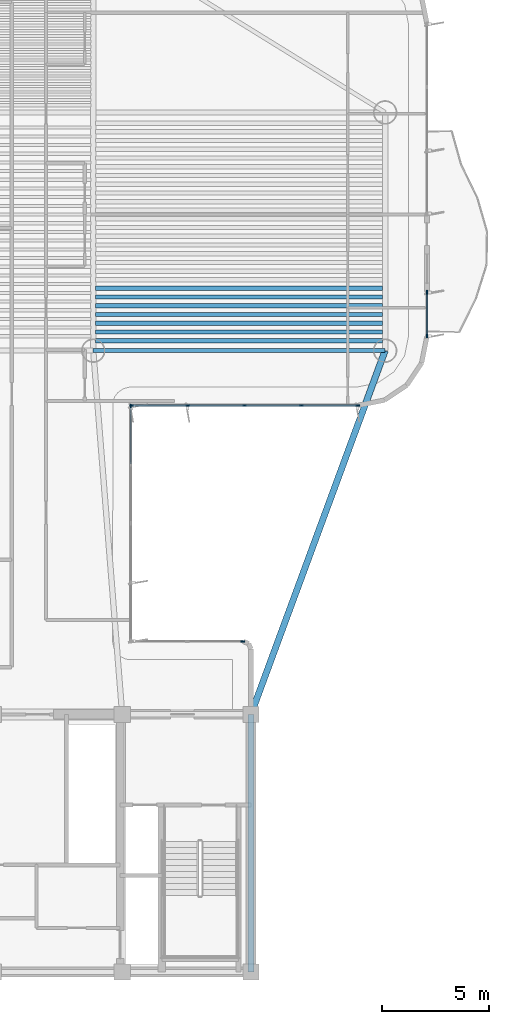
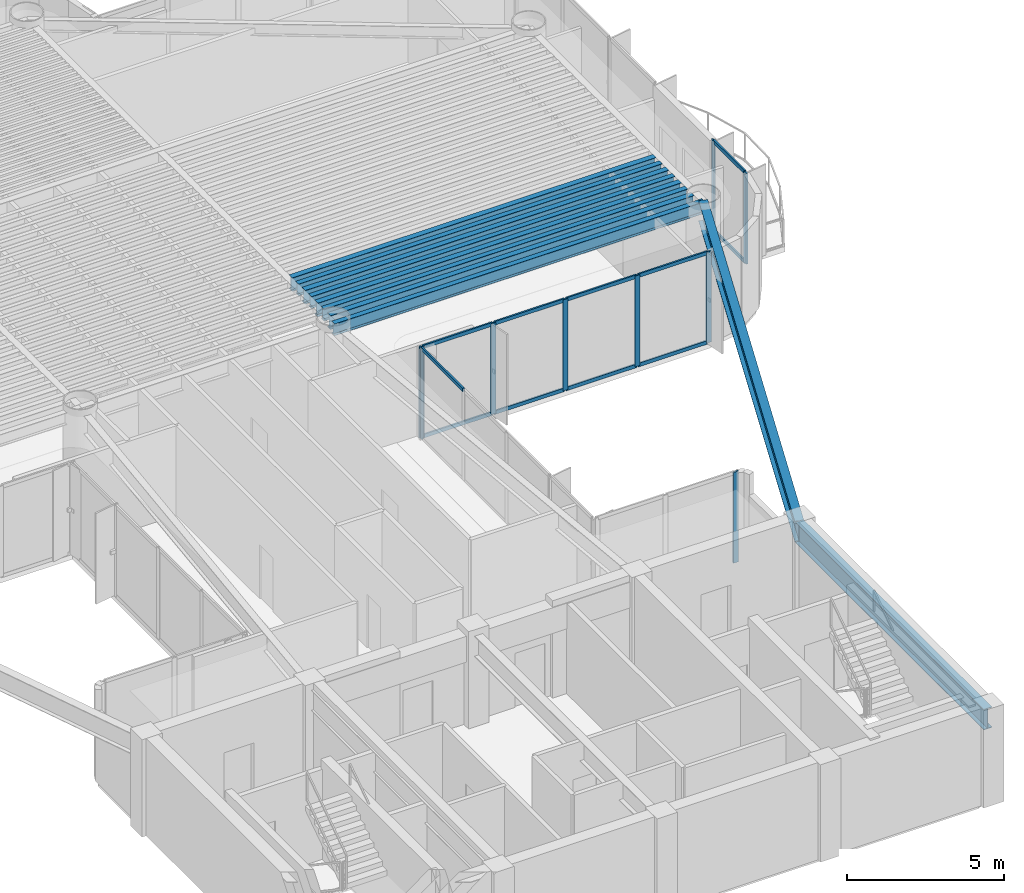
# One storey, part 4 of 15: 20 members, 10 beams, 4 elements without a shape of their own.
"""IFC4 building model written with IfcOpenShell, lengths in metres."""

from ifc_helpers import new_model, si_unit, direction, frame, origin, origin_2d, place, context, subcontext, project, spatial, rectangle, i_section, extrude, source, transform, mapped, material, layer, layer_set, material_profile, profile_set, type_object, element, aggregate, save


model = new_model("IFC4")

# Units and contexts
model_context = context("Model", 3, precision=1e-05, world=origin(), true_north=direction((0.0, 1.0)))
body_context = subcontext(model_context, "Body", "Model", "MODEL_VIEW")
ifc_project = project(units=[si_unit("LENGTHUNIT", "METRE"), si_unit("AREAUNIT", "SQUARE_METRE"), si_unit("VOLUMEUNIT", "CUBIC_METRE"), si_unit("PLANEANGLEUNIT", "RADIAN"), si_unit("MASSUNIT", "GRAM", prefix="KILO")], contexts=[model_context])

# Site, building, storey
site_placement = place(None, origin())
site = spatial("IfcSite", under=ifc_project, at=site_placement, CompositionType="ELEMENT")
building_placement = place(site_placement, origin())
building = spatial("IfcBuilding", under=site, at=building_placement, Name="Brelvock Crest Care Tower", CompositionType="ELEMENT")
storey_placement = place(building_placement, frame((0.0, 0.0, 160.199951171875)))
storey = spatial("IfcBuildingStorey", under=building, at=storey_placement, Name="L40", CompositionType="ELEMENT", Elevation=160.199951171875)

# Beams
ifc_material_1 = material(Name="Steel Grade 350", Category="steel")
ifc_material_profile_1 = material_profile(ifc_material_1, i_section(OverallWidth=0.300048828125, OverallDepth=0.800048828125, WebThickness=0.013916015625, FlangeThickness=0.02197265625, at=origin_2d()), Name="800WB192")
ifc_profile_set_1 = profile_set([ifc_material_profile_1], Name="Steel Grade 350")
beam_type_1 = type_object("IfcBeamType", Name="BM-G5", PredefinedType="BEAM", material=ifc_profile_set_1)
shared_shape_1 = source(origin(), body_context, "Body", "SweptSolid", [
    extrude(i_section(OverallWidth=0.300048828125, OverallDepth=0.800048828125, WebThickness=0.013916015625, FlangeThickness=0.02197265625, at=origin_2d()), origin(), (0.0, 0.0, 1.0), 12.0),
])
beam_1_placement = place(storey_placement, frame((48.0, 6.0, 3.130126953125), z_axis=(0.0, 1.0, 0.0), x_axis=(-1.0, 0.0, 0.0)))
element("IfcBeam", 1, at=beam_1_placement, inside=storey, type_object=beam_type_1, Name="BM-COREX-L40-5", PredefinedType="BEAM", context=body_context, shape_type="MappedRepresentation", body=[
    mapped(shared_shape_1, transform((0.0, 0.0, 0.0), x_axis=(1.0, 0.0, 0.0), y_axis=(0.0, 1.0, 0.0), z_axis=(0.0, 0.0, 1.0), scale=1.0)),
])
ifc_material_profile_2 = material_profile(ifc_material_1, i_section(OverallWidth=0.208984375, OverallDepth=0.532958984375, WebThickness=0.01025390625, FlangeThickness=0.015625, FilletRadius=0.013916015625, at=origin_2d()), Name="530UB92.4")
ifc_profile_set_2 = profile_set([ifc_material_profile_2], Name="Steel Grade 350")
beam_type_2 = type_object("IfcBeamType", Name="BM-G2", PredefinedType="BEAM", material=ifc_profile_set_2)
shared_shape_2 = source(origin(), body_context, "Body", "SweptSolid", [
    extrude(i_section(OverallWidth=0.208984375, OverallDepth=0.532958984375, WebThickness=0.01025390625, FlangeThickness=0.015625, FilletRadius=0.013916015625, at=origin_2d()), origin(), (0.0, 0.0, 1.0), 13.3701171875),
])
for number, where, z_axis, x_axis, name in (
    (2, (40.764892578125, 35.416259765625, 3.263427734375), (1.0, 0.0, 0.0), (0.0, 1.0, 0.0), "BM-JE-L40-1"),
    (3, (40.764892578125, 36.2265625, 3.263427734375), (1.0, 0.0, 0.0), (0.0, 1.0, 0.0), "BM-JE-L40-3"),
    (4, (40.764892578125, 37.036865234375, 3.263427734375), (1.0, 0.0, 0.0), (0.0, 1.0, 0.0), "BM-JE-L40-5"),
    (5, (40.764892578125, 37.84716796875, 3.263427734375), (1.0, 0.0, 0.0), (0.0, 1.0, 0.0), "BM-JE-L40-7"),
):
    element("IfcBeam", number, at=place(storey_placement, frame(where, z_axis=z_axis, x_axis=x_axis)), inside=storey, type_object=beam_type_2, Name=name, PredefinedType="BEAM", context=body_context, shape_type="MappedRepresentation", body=[
        mapped(shared_shape_2, transform((0.0, 0.0, 0.0), x_axis=(1.0, 0.0, 0.0), y_axis=(0.0, 1.0, 0.0), z_axis=(0.0, 0.0, 1.0), scale=1.0)),
    ])
ifc_material_profile_3 = material_profile(ifc_material_1, i_section(OverallWidth=0.19091796875, OverallDepth=0.4599609375, WebThickness=0.010009765625, FlangeThickness=0.01611328125, FilletRadius=0.011474609375, at=origin_2d()), Name="460UB82.1")
ifc_profile_set_3 = profile_set([ifc_material_profile_3], Name="Steel Grade 350")
beam_type_3 = type_object("IfcBeamType", Name="BM-G3", PredefinedType="BEAM", material=ifc_profile_set_3)
shared_shape_3 = source(origin(), body_context, "Body", "SweptSolid", [
    extrude(i_section(OverallWidth=0.19091796875, OverallDepth=0.4599609375, WebThickness=0.010009765625, FlangeThickness=0.01611328125, FilletRadius=0.011474609375, at=origin_2d()), origin(), (0.0, 0.0, 1.0), 13.3701171875),
])
for number, where, z_axis, x_axis, name in (
    (6, (40.764892578125, 35.8212890625, 3.300048828125), (1.0, 0.0, 0.0), (0.0, 1.0, 0.0), "BM-JE-L40-2"),
    (7, (40.764892578125, 36.631591796875, 3.300048828125), (1.0, 0.0, 0.0), (0.0, 1.0, 0.0), "BM-JE-L40-4"),
    (8, (40.764892578125, 37.44189453125, 3.300048828125), (1.0, 0.0, 0.0), (0.0, 1.0, 0.0), "BM-JE-L40-6"),
):
    element("IfcBeam", number, at=place(storey_placement, frame(where, z_axis=z_axis, x_axis=x_axis)), inside=storey, type_object=beam_type_3, Name=name, PredefinedType="BEAM", context=body_context, shape_type="MappedRepresentation", body=[
        mapped(shared_shape_3, transform((0.0, 0.0, 0.0), x_axis=(1.0, 0.0, 0.0), y_axis=(0.0, 1.0, 0.0), z_axis=(0.0, 0.0, 1.0), scale=1.0)),
    ])
ifc_material_profile_4 = material_profile(ifc_material_1, i_section(OverallWidth=0.19091796875, OverallDepth=0.4599609375, WebThickness=0.010009765625, FlangeThickness=0.01611328125, FilletRadius=0.011474609375, at=origin_2d()), Name="460UB82.1")
ifc_profile_set_4 = profile_set([ifc_material_profile_4], Name="Steel Grade 350")
beam_type_4 = type_object("IfcBeamType", Name="BM-SP2", PredefinedType="SPANDREL", material=ifc_profile_set_4)
shared_shape_4 = source(origin(), body_context, "Body", "SweptSolid", [
    extrude(i_section(OverallWidth=0.19091796875, OverallDepth=0.4599609375, WebThickness=0.010009765625, FlangeThickness=0.01611328125, FilletRadius=0.011474609375, at=origin_2d()), origin(), (0.0, 0.0, 1.0), 13.60009765625),
])
beam_2_placement = place(storey_placement, frame((40.64990234375, 34.949951171875, 3.300048828125), z_axis=(1.0, 0.0, 0.0), x_axis=(0.0, 1.0, 0.0)))
element("IfcBeam", 9, at=beam_2_placement, inside=storey, type_object=beam_type_4, Name="BM-TWR-L40-04", PredefinedType="SPANDREL", context=body_context, shape_type="MappedRepresentation", body=[
    mapped(shared_shape_4, transform((0.0, 0.0, 0.0), x_axis=(1.0, 0.0, 0.0), y_axis=(0.0, 1.0, 0.0), z_axis=(0.0, 0.0, 1.0), scale=1.0)),
])
shared_shape_5 = source(origin(), body_context, "Body", "SweptSolid", [
    extrude(i_section(OverallWidth=0.300048828125, OverallDepth=0.800048828125, WebThickness=0.013916015625, FlangeThickness=0.02197265625, at=origin_2d()), origin(), (0.0, 0.0, 1.0), 18.0654296875),
])
beam_3_placement = place(storey_placement, frame((48.0, 18.0, 3.130126953125), z_axis=(0.345962741309, 0.938248251597, 0.0), x_axis=(-0.938248251597, 0.345962741309, 0.0)))
element("IfcBeam", 10, at=beam_3_placement, inside=storey, type_object=beam_type_1, Name="BM-THRO-E-L40", PredefinedType="BEAM", context=body_context, shape_type="MappedRepresentation", body=[
    mapped(shared_shape_5, transform((0.0, 0.0, 0.0), x_axis=(1.0, 0.0, 0.0), y_axis=(0.0, 1.0, 0.0), z_axis=(0.0, 0.0, 1.0), scale=1.0)),
])

# Curtain wall, members
ifc_material_2 = material(Name="Dark Glass Double Glazed Low-E", Category="glass")
ifc_layer = layer(ifc_material_2, 0.22509765625, Name="CWS-4")
ifc_layer_set = layer_set([ifc_layer], Name="Dark Glass Double Glazed Low-E")
curtain_wall_type = type_object("IfcCurtainWallType", Name="CWS-4", PredefinedType="NOTDEFINED", material=ifc_layer_set)
curtain_wall_1_placement = place(storey_placement, origin())
curtain_wall_1 = element("IfcCurtainWall", 11, at=curtain_wall_1_placement, inside=storey, type_object=curtain_wall_type, Name="L40 Curtain Wall E39B", PredefinedType="NOTDEFINED")
ifc_material_3 = material(Name="Aluminium 6063-T6", Category="aluminium")
ifc_material_profile_5 = material_profile(ifc_material_3, rectangle(XDim=0.06005859375, YDim=0.179931640625, at=origin_2d()), Name="ALU60x180")
ifc_profile_set_5 = profile_set([ifc_material_profile_5], Name="Aluminium 6063-T6")
member_type_1 = type_object("IfcMemberType", Name="CWM-2", PredefinedType="MULLION", material=ifc_profile_set_5)
shared_shape_6 = source(origin(), body_context, "Body", "SweptSolid", [
    extrude(rectangle(XDim=0.06005859375, YDim=0.179931640625, at=origin_2d()), origin(), (0.0, 0.0, 1.0), 3.530029296875),
])
member_1_placement = place(storey_placement, frame((56.199951171875, 37.669921875, 0.0), z_axis=(0.0, 0.0, 1.0), x_axis=(1.0, 0.0, 0.0)))
member_1 = element("IfcMember", 12, at=member_1_placement, type_object=member_type_1, Name="CW-4 mullion 1", PredefinedType="MULLION", context=body_context, shape_type="MappedRepresentation", body=[
    mapped(shared_shape_6, transform((0.0, 0.0, 0.0), x_axis=(1.0, 0.0, 0.0), y_axis=(0.0, 1.0, 0.0), z_axis=(0.0, 0.0, 1.0), scale=1.0)),
])
member_2_placement = place(storey_placement, frame((56.199951171875, 35.6298828125, 0.0), z_axis=(0.0, 0.0, 1.0), x_axis=(1.0, 0.0, 0.0)))
member_2 = element("IfcMember", 13, at=member_2_placement, type_object=member_type_1, Name="CW-4 mullion 2", PredefinedType="MULLION", context=body_context, shape_type="MappedRepresentation", body=[
    mapped(shared_shape_6, transform((0.0, 0.0, 0.0), x_axis=(1.0, 0.0, 0.0), y_axis=(0.0, 1.0, 0.0), z_axis=(0.0, 0.0, 1.0), scale=1.0)),
])

curtain_wall_2_placement = place(storey_placement, origin())
curtain_wall_2 = element("IfcCurtainWall", 14, at=curtain_wall_2_placement, inside=storey, type_object=curtain_wall_type, Name="L40 Curtain Wall E44", PredefinedType="NOTDEFINED")
member_3_placement = place(storey_placement, frame((52.969970703125, 32.39990234375, 0.0), z_axis=(0.0, 0.0, 1.0), x_axis=(0.0, -1.0, 0.0)))
member_3 = element("IfcMember", 15, at=member_3_placement, type_object=member_type_1, Name="CW-4 mullion 1", PredefinedType="MULLION", context=body_context, shape_type="MappedRepresentation", body=[
    mapped(shared_shape_6, transform((0.0, 0.0, 0.0), x_axis=(1.0, 0.0, 0.0), y_axis=(0.0, 1.0, 0.0), z_axis=(0.0, 0.0, 1.0), scale=1.0)),
])
member_4_placement = place(storey_placement, frame((50.35009765625, 32.39990234375, 0.0), z_axis=(0.0, 0.0, 1.0), x_axis=(0.0, -1.0, 0.0)))
member_4 = element("IfcMember", 16, at=member_4_placement, type_object=member_type_1, Name="CW-4 mullion 2", PredefinedType="MULLION", context=body_context, shape_type="MappedRepresentation", body=[
    mapped(shared_shape_6, transform((0.0, 0.0, 0.0), x_axis=(1.0, 0.0, 0.0), y_axis=(0.0, 1.0, 0.0), z_axis=(0.0, 0.0, 1.0), scale=1.0)),
])
member_5_placement = place(storey_placement, frame((47.699951171875, 32.39990234375, 0.0), z_axis=(0.0, 0.0, 1.0), x_axis=(0.0, -1.0, 0.0)))
member_5 = element("IfcMember", 17, at=member_5_placement, type_object=member_type_1, Name="CW-4 mullion 3", PredefinedType="MULLION", context=body_context, shape_type="MappedRepresentation", body=[
    mapped(shared_shape_6, transform((0.0, 0.0, 0.0), x_axis=(1.0, 0.0, 0.0), y_axis=(0.0, 1.0, 0.0), z_axis=(0.0, 0.0, 1.0), scale=1.0)),
])
member_6_placement = place(storey_placement, frame((45.050048828125, 32.39990234375, 0.0), z_axis=(0.0, 0.0, 1.0), x_axis=(0.0, -1.0, 0.0)))
member_6 = element("IfcMember", 18, at=member_6_placement, type_object=member_type_1, Name="CW-4 mullion 4", PredefinedType="MULLION", context=body_context, shape_type="MappedRepresentation", body=[
    mapped(shared_shape_6, transform((0.0, 0.0, 0.0), x_axis=(1.0, 0.0, 0.0), y_axis=(0.0, 1.0, 0.0), z_axis=(0.0, 0.0, 1.0), scale=1.0)),
])
member_7_placement = place(storey_placement, frame((42.429931640625, 32.39990234375, 0.0), z_axis=(0.0, 0.0, 1.0), x_axis=(0.0, -1.0, 0.0)))
member_7 = element("IfcMember", 19, at=member_7_placement, type_object=member_type_1, Name="CW-4 mullion 5", PredefinedType="MULLION", context=body_context, shape_type="MappedRepresentation", body=[
    mapped(shared_shape_6, transform((0.0, 0.0, 0.0), x_axis=(1.0, 0.0, 0.0), y_axis=(0.0, 1.0, 0.0), z_axis=(0.0, 0.0, 1.0), scale=1.0)),
])

# Curtain wall, member
curtain_wall_3_placement = place(storey_placement, origin())
curtain_wall_3 = element("IfcCurtainWall", 20, at=curtain_wall_3_placement, inside=storey, type_object=curtain_wall_type, Name="L40 Curtain Wall E45", PredefinedType="NOTDEFINED")
member_8_placement = place(storey_placement, frame((42.39990234375, 32.3701171875, 0.0), z_axis=(0.0, 0.0, 1.0), x_axis=(1.0, 0.0, 0.0)))
member_8 = element("IfcMember", 21, at=member_8_placement, type_object=member_type_1, Name="CW-4 mullion 1", PredefinedType="MULLION", context=body_context, shape_type="MappedRepresentation", body=[
    mapped(shared_shape_6, transform((0.0, 0.0, 0.0), x_axis=(1.0, 0.0, 0.0), y_axis=(0.0, 1.0, 0.0), z_axis=(0.0, 0.0, 1.0), scale=1.0)),
])

curtain_wall_4_placement = place(storey_placement, origin())
curtain_wall_4 = element("IfcCurtainWall", 22, at=curtain_wall_4_placement, inside=storey, type_object=curtain_wall_type, Name="L40 Curtain Wall E46", PredefinedType="NOTDEFINED")
member_9_placement = place(storey_placement, frame((47.6201171875, 21.39990234375, 0.0), z_axis=(0.0, 0.0, 1.0), x_axis=(0.0, 1.0, 0.0)))
member_9 = element("IfcMember", 23, at=member_9_placement, type_object=member_type_1, Name="CW-4 mullion 3", PredefinedType="MULLION", context=body_context, shape_type="MappedRepresentation", body=[
    mapped(shared_shape_6, transform((0.0, 0.0, 0.0), x_axis=(1.0, 0.0, 0.0), y_axis=(0.0, 1.0, 0.0), z_axis=(0.0, 0.0, 1.0), scale=1.0)),
])
aggregate(curtain_wall_4, [member_9])

# Member
ifc_material_profile_6 = material_profile(ifc_material_3, rectangle(XDim=0.06005859375, YDim=0.139892578125, at=origin_2d()), Name="ALU60x140")
ifc_profile_set_6 = profile_set([ifc_material_profile_6], Name="Aluminium 6063-T6")
member_type_2 = type_object("IfcMemberType", Name="CWT-2", PredefinedType="USERDEFINED", material=ifc_profile_set_6)
shared_shape_7 = source(origin(), body_context, "Body", "SweptSolid", [
    extrude(rectangle(XDim=0.06005859375, YDim=0.139892578125, at=origin_2d()), origin(), (0.0, 0.0, 1.0), 2.66015625),
])
member_10_placement = place(storey_placement, frame((42.39990234375, 32.340087890625, 3.5), z_axis=(0.0, -1.0, 0.0), x_axis=(1.0, 0.0, 0.0)))
member_10 = element("IfcMember", 24, at=member_10_placement, type_object=member_type_2, Name="CW-4 transom 1.2", ObjectType="TRANSOM", PredefinedType="USERDEFINED", context=body_context, shape_type="MappedRepresentation", body=[
    mapped(shared_shape_7, transform((0.0, 0.0, 0.0), x_axis=(1.0, 0.0, 0.0), y_axis=(0.0, 1.0, 0.0), z_axis=(0.0, 0.0, 1.0), scale=1.0)),
])

aggregate(curtain_wall_3, [member_8, member_10])

shared_shape_8 = source(origin(), body_context, "Body", "SweptSolid", [
    extrude(rectangle(XDim=0.06005859375, YDim=0.139892578125, at=origin_2d()), origin(), (0.0, 0.0, 1.0), 2.56005859375),
])
member_11_placement = place(storey_placement, frame((52.93994140625, 32.39990234375, 0.030029296875), z_axis=(-1.0, 0.0, 0.0), x_axis=(0.0, -1.0, 0.0)))
member_11 = element("IfcMember", 25, at=member_11_placement, type_object=member_type_2, Name="CW-4 transom 1.1", ObjectType="TRANSOM", PredefinedType="USERDEFINED", context=body_context, shape_type="MappedRepresentation", body=[
    mapped(shared_shape_8, transform((0.0, 0.0, 0.0), x_axis=(1.0, 0.0, 0.0), y_axis=(0.0, 1.0, 0.0), z_axis=(0.0, 0.0, 1.0), scale=1.0)),
])

member_12_placement = place(storey_placement, frame((52.93994140625, 32.39990234375, 3.5), z_axis=(-1.0, 0.0, 0.0), x_axis=(0.0, -1.0, 0.0)))
member_12 = element("IfcMember", 26, at=member_12_placement, type_object=member_type_2, Name="CW-4 transom 1.2", ObjectType="TRANSOM", PredefinedType="USERDEFINED", context=body_context, shape_type="MappedRepresentation", body=[
    mapped(shared_shape_8, transform((0.0, 0.0, 0.0), x_axis=(1.0, 0.0, 0.0), y_axis=(0.0, 1.0, 0.0), z_axis=(0.0, 0.0, 1.0), scale=1.0)),
])

member_13_placement = place(storey_placement, frame((45.02001953125, 32.39990234375, 0.030029296875), z_axis=(-1.0, 0.0, 0.0), x_axis=(0.0, -1.0, 0.0)))
member_13 = element("IfcMember", 27, at=member_13_placement, type_object=member_type_2, Name="CW-4 transom 4.1", ObjectType="TRANSOM", PredefinedType="USERDEFINED", context=body_context, shape_type="MappedRepresentation", body=[
    mapped(shared_shape_8, transform((0.0, 0.0, 0.0), x_axis=(1.0, 0.0, 0.0), y_axis=(0.0, 1.0, 0.0), z_axis=(0.0, 0.0, 1.0), scale=1.0)),
])

member_14_placement = place(storey_placement, frame((45.02001953125, 32.39990234375, 3.5), z_axis=(-1.0, 0.0, 0.0), x_axis=(0.0, -1.0, 0.0)))
member_14 = element("IfcMember", 28, at=member_14_placement, type_object=member_type_2, Name="CW-4 transom 4.2", ObjectType="TRANSOM", PredefinedType="USERDEFINED", context=body_context, shape_type="MappedRepresentation", body=[
    mapped(shared_shape_8, transform((0.0, 0.0, 0.0), x_axis=(1.0, 0.0, 0.0), y_axis=(0.0, 1.0, 0.0), z_axis=(0.0, 0.0, 1.0), scale=1.0)),
])

shared_shape_9 = source(origin(), body_context, "Body", "SweptSolid", [
    extrude(rectangle(XDim=0.06005859375, YDim=0.139892578125, at=origin_2d()), origin(), (0.0, 0.0, 1.0), 2.58984375),
])
member_15_placement = place(storey_placement, frame((47.669921875, 32.39990234375, 0.030029296875), z_axis=(-1.0, 0.0, 0.0), x_axis=(0.0, -1.0, 0.0)))
member_15 = element("IfcMember", 29, at=member_15_placement, type_object=member_type_2, Name="CW-4 transom 3.1", ObjectType="TRANSOM", PredefinedType="USERDEFINED", context=body_context, shape_type="MappedRepresentation", body=[
    mapped(shared_shape_9, transform((0.0, 0.0, 0.0), x_axis=(1.0, 0.0, 0.0), y_axis=(0.0, 1.0, 0.0), z_axis=(0.0, 0.0, 1.0), scale=1.0)),
])

member_16_placement = place(storey_placement, frame((47.669921875, 32.39990234375, 3.5), z_axis=(-1.0, 0.0, 0.0), x_axis=(0.0, -1.0, 0.0)))
member_16 = element("IfcMember", 30, at=member_16_placement, type_object=member_type_2, Name="CW-4 transom 3.2", ObjectType="TRANSOM", PredefinedType="USERDEFINED", context=body_context, shape_type="MappedRepresentation", body=[
    mapped(shared_shape_9, transform((0.0, 0.0, 0.0), x_axis=(1.0, 0.0, 0.0), y_axis=(0.0, 1.0, 0.0), z_axis=(0.0, 0.0, 1.0), scale=1.0)),
])

shared_shape_10 = source(origin(), body_context, "Body", "SweptSolid", [
    extrude(rectangle(XDim=0.06005859375, YDim=0.139892578125, at=origin_2d()), origin(), (0.0, 0.0, 1.0), 2.590087890625),
])
member_17_placement = place(storey_placement, frame((50.320068359375, 32.39990234375, 0.030029296875), z_axis=(-1.0, 0.0, 0.0), x_axis=(0.0, -1.0, 0.0)))
member_17 = element("IfcMember", 31, at=member_17_placement, type_object=member_type_2, Name="CW-4 transom 2.1", ObjectType="TRANSOM", PredefinedType="USERDEFINED", context=body_context, shape_type="MappedRepresentation", body=[
    mapped(shared_shape_10, transform((0.0, 0.0, 0.0), x_axis=(1.0, 0.0, 0.0), y_axis=(0.0, 1.0, 0.0), z_axis=(0.0, 0.0, 1.0), scale=1.0)),
])

member_18_placement = place(storey_placement, frame((50.320068359375, 32.39990234375, 3.5), z_axis=(-1.0, 0.0, 0.0), x_axis=(0.0, -1.0, 0.0)))
member_18 = element("IfcMember", 32, at=member_18_placement, type_object=member_type_2, Name="CW-4 transom 2.2", ObjectType="TRANSOM", PredefinedType="USERDEFINED", context=body_context, shape_type="MappedRepresentation", body=[
    mapped(shared_shape_10, transform((0.0, 0.0, 0.0), x_axis=(1.0, 0.0, 0.0), y_axis=(0.0, 1.0, 0.0), z_axis=(0.0, 0.0, 1.0), scale=1.0)),
])

aggregate(curtain_wall_2, [member_3, member_4, member_5, member_6, member_7, member_11, member_12, member_17, member_18, member_15, member_16, member_13, member_14])

shared_shape_11 = source(origin(), body_context, "Body", "SweptSolid", [
    extrude(rectangle(XDim=0.06005859375, YDim=0.139892578125, at=origin_2d()), origin(), (0.0, 0.0, 1.0), 1.97998046875),
])
member_19_placement = place(storey_placement, frame((56.199951171875, 37.639892578125, 0.030029296875), z_axis=(0.0, -1.0, 0.0), x_axis=(1.0, 0.0, 0.0)))
member_19 = element("IfcMember", 33, at=member_19_placement, type_object=member_type_2, Name="CW-4 transom 1.1", ObjectType="TRANSOM", PredefinedType="USERDEFINED", context=body_context, shape_type="MappedRepresentation", body=[
    mapped(shared_shape_11, transform((0.0, 0.0, 0.0), x_axis=(1.0, 0.0, 0.0), y_axis=(0.0, 1.0, 0.0), z_axis=(0.0, 0.0, 1.0), scale=1.0)),
])

member_20_placement = place(storey_placement, frame((56.199951171875, 37.639892578125, 3.5), z_axis=(0.0, -1.0, 0.0), x_axis=(1.0, 0.0, 0.0)))
member_20 = element("IfcMember", 34, at=member_20_placement, type_object=member_type_2, Name="CW-4 transom 1.2", ObjectType="TRANSOM", PredefinedType="USERDEFINED", context=body_context, shape_type="MappedRepresentation", body=[
    mapped(shared_shape_11, transform((0.0, 0.0, 0.0), x_axis=(1.0, 0.0, 0.0), y_axis=(0.0, 1.0, 0.0), z_axis=(0.0, 0.0, 1.0), scale=1.0)),
])

aggregate(curtain_wall_1, [member_1, member_2, member_19, member_20])

save(model, "model.ifc")
